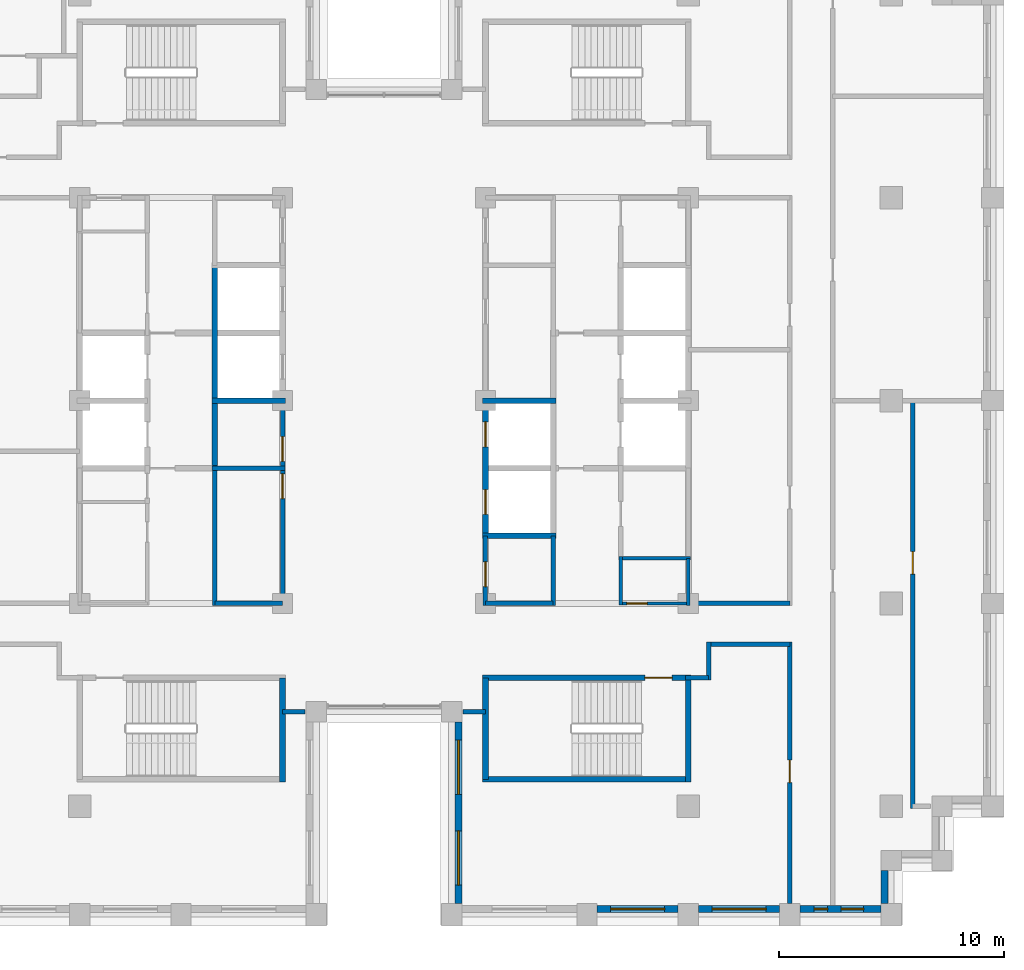
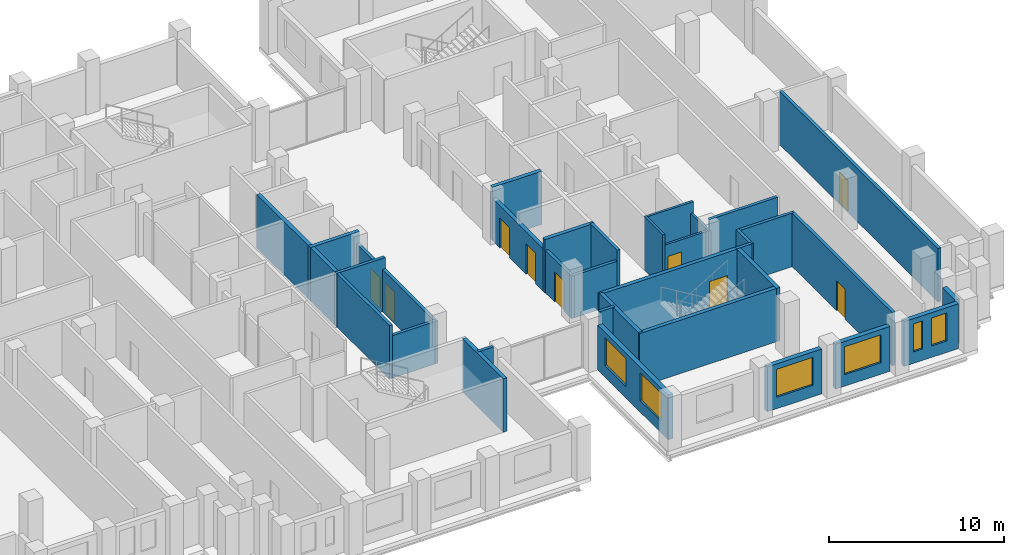
# One storey, part 8 of 15: 34 walls, 9 doors, 6 windows, 15 openings.
"""IFC4 building model written with IfcOpenShell, lengths in metres."""

from ifc_helpers import new_model, si_unit, direction, frame, frame_2d, origin, place, context, subcontext, project, spatial, rectangle, extrude, material, layer, layer_set, type_object, element, fill, save


model = new_model("IFC4")

# Units and contexts
model_context = context("Model", 3, precision=1e-05, world=origin(), true_north=direction((0.0, 1.0)))
body_context = subcontext(model_context, "Body", "Model", "MODEL_VIEW")
ifc_project = project(units=[si_unit("LENGTHUNIT", "METRE"), si_unit("AREAUNIT", "SQUARE_METRE"), si_unit("VOLUMEUNIT", "CUBIC_METRE"), si_unit("PLANEANGLEUNIT", "RADIAN"), si_unit("MASSUNIT", "GRAM", prefix="KILO")], contexts=[model_context])

# Site, building, storey
site_placement = place(None, origin())
site = spatial("IfcSite", under=ifc_project, at=site_placement, CompositionType="ELEMENT")
building_placement = place(site_placement, origin())
building = spatial("IfcBuilding", under=site, at=building_placement, Name="Corbelhall Arena Tower", CompositionType="ELEMENT")
storey_placement = place(building_placement, frame((0.0, 0.0, 224.0)))
storey = spatial("IfcBuildingStorey", under=building, at=storey_placement, Name="L47", CompositionType="ELEMENT", Elevation=224.0)

# Wall, openings, windows
ifc_material_1 = material(Name="Precast concrete C40/50 with granite facing", Category="masonry")
ifc_layer_1 = layer(ifc_material_1, 0.300048828125)
ifc_layer_set_1 = layer_set([ifc_layer_1], Name="EV-IW1 Infill panel 300")
wall_type_1 = type_object("IfcWallType", Name="EV-IW1 Infill panel 300", PredefinedType="SOLIDWALL", material=ifc_layer_set_1)
wall_1_placement = place(storey_placement, frame((3.300048828125, -14.25, 0.0), z_axis=(0.0, 0.0, 1.0), x_axis=(0.0, -1.0, 0.0)))
wall_1 = element("IfcWall", 1, at=wall_1_placement, inside=storey, type_object=wall_type_1, Name="Infill panel IW1", PredefinedType="SOLIDWALL", context=body_context, shape_type="SweptSolid", body=[
    extrude(rectangle(XDim=8.050048828125, YDim=0.300048828125, at=frame_2d((4.02490234375, 0.0))), origin(), (0.0, 0.0, 1.0), 3.1201171875),
])
opening_1_placement = place(wall_1_placement, frame((0.8125, 0.0, 0.800048828125)))
opening_1 = element("IfcOpeningElement", 2, at=opening_1_placement, cuts=wall_1, Name="Opening WN1", PredefinedType="OPENING", context=body_context, shape_type="SweptSolid", body=[
    extrude(rectangle(XDim=2.39990234375, YDim=1.949951171875, at=frame_2d((1.199951171875, 0.97509765625))), frame((0.0, 0.14990234375, 0.0), z_axis=(0.0, -1.0, 0.0), x_axis=(1.0, 0.0, 0.0)), (0.0, 0.0, 1.0), 0.300048828125),
])
opening_2_placement = place(wall_1_placement, frame((4.83740234375, 0.0, 0.800048828125)))
opening_2 = element("IfcOpeningElement", 3, at=opening_2_placement, cuts=wall_1, Name="Opening WN1", PredefinedType="OPENING", context=body_context, shape_type="SweptSolid", body=[
    extrude(rectangle(XDim=2.39990234375, YDim=1.949951171875, at=frame_2d((1.199951171875, 0.97509765625))), frame((0.0, 0.14990234375, 0.0), z_axis=(0.0, -1.0, 0.0), x_axis=(1.0, 0.0, 0.0)), (0.0, 0.0, 1.0), 0.300048828125),
])
ifc_material_2 = material(Name="Aluminium black anodised", Category="aluminium")
window_type_1 = type_object("IfcWindowType", Name="EV-WN1 Office window", PartitioningType="SINGLE_PANEL", PredefinedType="WINDOW", material=ifc_material_2)
window_1_placement = place(opening_1_placement, origin())
window_1 = element("IfcWindow", 4, at=window_1_placement, inside=storey, type_object=window_type_1, Name="Window WN1", OverallHeight=1.949951171875, OverallWidth=2.39990234375, PartitioningType="SINGLE_PANEL", PredefinedType="WINDOW", context=body_context, shape_type="SweptSolid", body=[
    extrude(rectangle(XDim=2.39990234375, YDim=1.949951171875, at=frame_2d((1.199951171875, 0.97509765625))), frame((0.0, 0.030029296875, 0.0), z_axis=(0.0, -1.0, 0.0), x_axis=(1.0, 0.0, 0.0)), (0.0, 0.0, 1.0), 0.06005859375),
])
fill(opening_1, window_1)
window_2_placement = place(opening_2_placement, origin())
window_2 = element("IfcWindow", 5, at=window_2_placement, inside=storey, type_object=window_type_1, Name="Window WN1", OverallHeight=1.949951171875, OverallWidth=2.39990234375, PartitioningType="SINGLE_PANEL", PredefinedType="WINDOW", context=body_context, shape_type="SweptSolid", body=[
    extrude(rectangle(XDim=2.39990234375, YDim=1.949951171875, at=frame_2d((1.199951171875, 0.97509765625))), frame((0.0, 0.030029296875, 0.0), z_axis=(0.0, -1.0, 0.0), x_axis=(1.0, 0.0, 0.0)), (0.0, 0.0, 1.0), 0.06005859375),
])
fill(opening_2, window_2)

# Wall, opening, window
wall_2_placement = place(storey_placement, frame((9.449951171875, -22.550048828125, 0.0), z_axis=(0.0, 0.0, 1.0), x_axis=(1.0, 0.0, 0.0)))
wall_2 = element("IfcWall", 6, at=wall_2_placement, inside=storey, type_object=wall_type_1, Name="Infill panel IW1", PredefinedType="SOLIDWALL", context=body_context, shape_type="SweptSolid", body=[
    extrude(rectangle(XDim=3.60009765625, YDim=0.300048828125, at=frame_2d((1.800048828125, 0.0))), origin(), (0.0, 0.0, 1.0), 3.1201171875),
])
opening_3_placement = place(wall_2_placement, frame((0.60009765625, 0.0, 0.800048828125)))
opening_3 = element("IfcOpeningElement", 7, at=opening_3_placement, cuts=wall_2, Name="Opening WN1", PredefinedType="OPENING", context=body_context, shape_type="SweptSolid", body=[
    extrude(rectangle(XDim=2.39990234375, YDim=1.949951171875, at=frame_2d((1.199951171875, 0.97509765625))), frame((0.0, 0.14990234375, 0.0), z_axis=(0.0, -1.0, 0.0), x_axis=(1.0, 0.0, 0.0)), (0.0, 0.0, 1.0), 0.300048828125),
])
window_3_placement = place(opening_3_placement, origin())
window_3 = element("IfcWindow", 8, at=window_3_placement, inside=storey, type_object=window_type_1, Name="Window WN1", OverallHeight=1.949951171875, OverallWidth=2.39990234375, PartitioningType="SINGLE_PANEL", PredefinedType="WINDOW", context=body_context, shape_type="SweptSolid", body=[
    extrude(rectangle(XDim=2.39990234375, YDim=1.949951171875, at=frame_2d((1.199951171875, 0.97509765625))), frame((0.0, 0.030029296875, 0.0), z_axis=(0.0, -1.0, 0.0), x_axis=(1.0, 0.0, 0.0)), (0.0, 0.0, 1.0), 0.06005859375),
])
fill(opening_3, window_3)

wall_3_placement = place(storey_placement, frame((13.949951171875, -22.550048828125, 0.0), z_axis=(0.0, 0.0, 1.0), x_axis=(1.0, 0.0, 0.0)))
wall_3 = element("IfcWall", 9, at=wall_3_placement, inside=storey, type_object=wall_type_1, Name="Infill panel IW1", PredefinedType="SOLIDWALL", context=body_context, shape_type="SweptSolid", body=[
    extrude(rectangle(XDim=3.60009765625, YDim=0.300048828125, at=frame_2d((1.800048828125, 0.0))), origin(), (0.0, 0.0, 1.0), 3.1201171875),
])
opening_4_placement = place(wall_3_placement, frame((0.60009765625, 0.0, 0.800048828125)))
opening_4 = element("IfcOpeningElement", 10, at=opening_4_placement, cuts=wall_3, Name="Opening WN1", PredefinedType="OPENING", context=body_context, shape_type="SweptSolid", body=[
    extrude(rectangle(XDim=2.39990234375, YDim=1.949951171875, at=frame_2d((1.199951171875, 0.97509765625))), frame((0.0, 0.14990234375, 0.0), z_axis=(0.0, -1.0, 0.0), x_axis=(1.0, 0.0, 0.0)), (0.0, 0.0, 1.0), 0.300048828125),
])
window_4_placement = place(opening_4_placement, origin())
window_4 = element("IfcWindow", 11, at=window_4_placement, inside=storey, type_object=window_type_1, Name="Window WN1", OverallHeight=1.949951171875, OverallWidth=2.39990234375, PartitioningType="SINGLE_PANEL", PredefinedType="WINDOW", context=body_context, shape_type="SweptSolid", body=[
    extrude(rectangle(XDim=2.39990234375, YDim=1.949951171875, at=frame_2d((1.199951171875, 0.97509765625))), frame((0.0, 0.030029296875, 0.0), z_axis=(0.0, -1.0, 0.0), x_axis=(1.0, 0.0, 0.0)), (0.0, 0.0, 1.0), 0.06005859375),
])
fill(opening_4, window_4)

# Wall, openings, windows
wall_4_placement = place(storey_placement, frame((18.449951171875, -22.550048828125, 0.0), z_axis=(0.0, 0.0, 1.0), x_axis=(1.0, 0.0, 0.0)))
wall_4 = element("IfcWall", 12, at=wall_4_placement, inside=storey, type_object=wall_type_1, Name="Infill panel IW1", PredefinedType="SOLIDWALL", context=body_context, shape_type="SweptSolid", body=[
    extrude(rectangle(XDim=3.60009765625, YDim=0.300048828125, at=frame_2d((1.800048828125, 0.0))), origin(), (0.0, 0.0, 1.0), 3.1201171875),
])
opening_5_placement = place(wall_4_placement, frame((0.625, 0.0, 0.800048828125)))
opening_5 = element("IfcOpeningElement", 13, at=opening_5_placement, cuts=wall_4, Name="Opening WN5", PredefinedType="OPENING", context=body_context, shape_type="SweptSolid", body=[
    extrude(rectangle(XDim=0.60009765625, YDim=1.949951171875, at=frame_2d((0.300048828125, 0.97509765625))), frame((0.0, 0.14990234375, 0.0), z_axis=(0.0, -1.0, 0.0), x_axis=(1.0, 0.0, 0.0)), (0.0, 0.0, 1.0), 0.300048828125),
])
opening_6_placement = place(wall_4_placement, frame((1.824951171875, 0.0, 0.800048828125)))
opening_6 = element("IfcOpeningElement", 14, at=opening_6_placement, cuts=wall_4, Name="Opening WN6", PredefinedType="OPENING", context=body_context, shape_type="SweptSolid", body=[
    extrude(rectangle(XDim=1.0, YDim=1.949951171875, at=frame_2d((0.5, 0.97509765625))), frame((0.0, 0.14990234375, 0.0), z_axis=(0.0, -1.0, 0.0), x_axis=(1.0, 0.0, 0.0)), (0.0, 0.0, 1.0), 0.300048828125),
])
window_type_2 = type_object("IfcWindowType", Name="EV-WN5 Office window 600", PartitioningType="SINGLE_PANEL", PredefinedType="WINDOW", material=ifc_material_2)
window_5_placement = place(opening_5_placement, origin())
window_5 = element("IfcWindow", 15, at=window_5_placement, inside=storey, type_object=window_type_2, Name="Window WN5", OverallHeight=1.949951171875, OverallWidth=0.60009765625, PartitioningType="SINGLE_PANEL", PredefinedType="WINDOW", context=body_context, shape_type="SweptSolid", body=[
    extrude(rectangle(XDim=0.60009765625, YDim=1.949951171875, at=frame_2d((0.300048828125, 0.97509765625))), frame((0.0, 0.030029296875, 0.0), z_axis=(0.0, -1.0, 0.0), x_axis=(1.0, 0.0, 0.0)), (0.0, 0.0, 1.0), 0.06005859375),
])
fill(opening_5, window_5)
window_type_3 = type_object("IfcWindowType", Name="EV-WN6 Office window 1000", PartitioningType="SINGLE_PANEL", PredefinedType="WINDOW", material=ifc_material_2)
window_6_placement = place(opening_6_placement, origin())
window_6 = element("IfcWindow", 16, at=window_6_placement, inside=storey, type_object=window_type_3, Name="Window WN6", OverallHeight=1.949951171875, OverallWidth=1.0, PartitioningType="SINGLE_PANEL", PredefinedType="WINDOW", context=body_context, shape_type="SweptSolid", body=[
    extrude(rectangle(XDim=1.0, YDim=1.949951171875, at=frame_2d((0.5, 0.97509765625))), frame((0.0, 0.030029296875, 0.0), z_axis=(0.0, -1.0, 0.0), x_axis=(1.0, 0.0, 0.0)), (0.0, 0.0, 1.0), 0.06005859375),
])
fill(opening_6, window_6)

# Walls
wall_5_placement = place(storey_placement, frame((22.199951171875, -22.300048828125, 0.0), z_axis=(0.0, 0.0, 1.0), x_axis=(0.0, 1.0, 0.0)))
element("IfcWall", 17, at=wall_5_placement, inside=storey, type_object=wall_type_1, Name="Infill panel IW1", PredefinedType="SOLIDWALL", context=body_context, shape_type="SweptSolid", body=[
    extrude(rectangle(XDim=1.449951171875, YDim=0.300048828125, at=frame_2d((0.72509765625, 0.0))), origin(), (0.0, 0.0, 1.0), 3.1201171875),
])
ifc_material_3 = material(Name="Gypsum board on steel stud, acoustic", Category="steel")
ifc_layer_2 = layer(ifc_material_3, 0.199951171875)
ifc_layer_set_2 = layer_set([ifc_layer_2], Name="IN-W-DM200")
wall_type_2 = type_object("IfcWallType", Name="IN-W-DM200", PredefinedType="PARTITIONING", material=ifc_layer_set_2)
for number, where, z_axis, x_axis, name in (
    (18, (-3.5, -13.800048828125, 0.0), (0.0, 0.0, 1.0), (-1.0, 0.0, 0.0), "Partition 032"),
    (19, (4.5, -13.800048828125, 0.0), (0.0, 0.0, 1.0), (-1.0, 0.0, 0.0), "Partition 034"),
):
    element("IfcWall", number, at=place(storey_placement, frame(where, z_axis=z_axis, x_axis=x_axis)), inside=storey, type_object=wall_type_2, Name=name, PredefinedType="PARTITIONING", context=body_context, shape_type="SweptSolid", body=[
        extrude(rectangle(XDim=1.0, YDim=0.199951171875, at=frame_2d((0.5, 0.0))), origin(), (0.0, 0.0, 1.0), 3.719970703125),
    ])
wall_6_placement = place(storey_placement, frame((13.5, -9.0, 0.0), z_axis=(0.0, 0.0, 1.0), x_axis=(1.0, 0.0, 0.0)))
element("IfcWall", 20, at=wall_6_placement, inside=storey, type_object=wall_type_2, Name="Partition 036", PredefinedType="PARTITIONING", context=body_context, shape_type="SweptSolid", body=[
    extrude(rectangle(XDim=4.5, YDim=0.199951171875, at=frame_2d((2.25, 0.0))), origin(), (0.0, 0.0, 1.0), 3.719970703125),
])
wall_7_placement = place(storey_placement, frame((14.39990234375, -12.300048828125, 0.0), z_axis=(0.0, 0.0, 1.0), x_axis=(-1.0, 0.0, 0.0)))
element("IfcWall", 21, at=wall_7_placement, inside=storey, type_object=wall_type_2, Name="Partition 038", PredefinedType="PARTITIONING", context=body_context, shape_type="SweptSolid", body=[
    extrude(rectangle(XDim=1.02490234375, YDim=0.199951171875, at=frame_2d((0.512451171875, 0.0))), origin(), (0.0, 0.0, 1.0), 3.719970703125),
])
wall_8_placement = place(storey_placement, frame((14.39990234375, -10.699951171875, 0.0), z_axis=(0.0, 0.0, 1.0), x_axis=(0.0, -1.0, 0.0)))
element("IfcWall", 22, at=wall_8_placement, inside=storey, type_object=wall_type_2, Name="Partition 039", PredefinedType="PARTITIONING", context=body_context, shape_type="SweptSolid", body=[
    extrude(rectangle(XDim=1.699951171875, YDim=0.199951171875, at=frame_2d((0.85009765625, 0.0))), origin(), (0.0, 0.0, 1.0), 3.719970703125),
])

# Wall, opening, door
wall_9_placement = place(storey_placement, frame((18.0, -22.300048828125, 0.0), z_axis=(0.0, 0.0, 1.0), x_axis=(0.0, 1.0, 0.0)))
wall_9 = element("IfcWall", 23, at=wall_9_placement, inside=storey, type_object=wall_type_2, Name="Partition 043", PredefinedType="PARTITIONING", context=body_context, shape_type="SweptSolid", body=[
    extrude(rectangle(XDim=11.60009765625, YDim=0.199951171875, at=frame_2d((5.800048828125, 0.0))), origin(), (0.0, 0.0, 1.0), 3.719970703125),
])
opening_7_placement = place(wall_9_placement, frame((5.35009765625, 0.0, 0.0)))
opening_7 = element("IfcOpeningElement", 24, at=opening_7_placement, cuts=wall_9, Name="Opening 14031", PredefinedType="OPENING", context=body_context, shape_type="SweptSolid", body=[
    extrude(rectangle(XDim=1.0, YDim=2.10009765625, at=frame_2d((0.5, 1.050048828125))), frame((0.0, 0.10009765625, 0.0), z_axis=(0.0, -1.0, 0.0), x_axis=(1.0, 0.0, 0.0)), (0.0, 0.0, 1.0), 0.199951171875),
])
ifc_material_4 = material(Name="Steel door set", Category="steel")
door_type_1 = type_object("IfcDoorType", Name="IN-D-SW100", OperationType="NOTDEFINED", PredefinedType="DOOR", material=ifc_material_4)
door_1_placement = place(opening_7_placement, origin())
door_1 = element("IfcDoor", 25, at=door_1_placement, inside=storey, type_object=door_type_1, Name="Door 031", OperationType="SINGLE_SWING_RIGHT", OverallHeight=2.10009765625, OverallWidth=1.0, PredefinedType="DOOR", context=body_context, shape_type="SweptSolid", body=[
    extrude(rectangle(XDim=1.0, YDim=2.10009765625, at=frame_2d((0.5, 1.050048828125))), frame((0.0, 0.02490234375, 0.0), z_axis=(0.0, -1.0, 0.0), x_axis=(1.0, 0.0, 0.0)), (0.0, 0.0, 1.0), 0.050048828125),
])
fill(opening_7, door_1)

# Wall
wall_10_placement = place(storey_placement, frame((18.0, -10.800048828125, 0.0), z_axis=(0.0, 0.0, 1.0), x_axis=(-1.0, 0.0, 0.0)))
element("IfcWall", 26, at=wall_10_placement, inside=storey, type_object=wall_type_2, Name="Partition 044", PredefinedType="PARTITIONING", context=body_context, shape_type="SweptSolid", body=[
    extrude(rectangle(XDim=3.60009765625, YDim=0.199951171875, at=frame_2d((1.800048828125, 0.0))), origin(), (0.0, 0.0, 1.0), 3.719970703125),
])

# Wall, opening, door
wall_11_placement = place(storey_placement, frame((23.449951171875, 0.0, 0.0), z_axis=(0.0, 0.0, 1.0), x_axis=(0.0, -1.0, 0.0)))
wall_11 = element("IfcWall", 27, at=wall_11_placement, inside=storey, type_object=wall_type_2, Name="Partition 050", PredefinedType="PARTITIONING", context=body_context, shape_type="SweptSolid", body=[
    extrude(rectangle(XDim=18.10009765625, YDim=0.199951171875, at=frame_2d((9.050048828125, 0.0))), origin(), (0.0, 0.0, 1.0), 3.719970703125),
])
opening_8_placement = place(wall_11_placement, frame((6.699951171875, 0.0, 0.0)))
opening_8 = element("IfcOpeningElement", 28, at=opening_8_placement, cuts=wall_11, Name="Opening 14041", PredefinedType="OPENING", context=body_context, shape_type="SweptSolid", body=[
    extrude(rectangle(XDim=1.0, YDim=2.10009765625, at=frame_2d((0.5, 1.050048828125))), frame((0.0, 0.10009765625, 0.0), z_axis=(0.0, -1.0, 0.0), x_axis=(1.0, 0.0, 0.0)), (0.0, 0.0, 1.0), 0.199951171875),
])
door_2_placement = place(opening_8_placement, origin())
door_2 = element("IfcDoor", 29, at=door_2_placement, inside=storey, type_object=door_type_1, Name="Door 041", OperationType="SINGLE_SWING_RIGHT", OverallHeight=2.10009765625, OverallWidth=1.0, PredefinedType="DOOR", context=body_context, shape_type="SweptSolid", body=[
    extrude(rectangle(XDim=1.0, YDim=2.10009765625, at=frame_2d((0.5, 1.050048828125))), frame((0.0, 0.02490234375, 0.0), z_axis=(0.0, -1.0, 0.0), x_axis=(1.0, 0.0, 0.0)), (0.0, 0.0, 1.0), 0.050048828125),
])
fill(opening_8, door_2)

# Walls
ifc_material_5 = material(Name="Concrete block wall", Category="concrete")
ifc_layer_3 = layer(ifc_material_5, 0.199951171875)
ifc_layer_set_3 = layer_set([ifc_layer_3], Name="IN-W-RS200")
wall_type_3 = type_object("IfcWallType", Name="IN-W-RS200", PredefinedType="SOLIDWALL", material=ifc_layer_set_3)
wall_12_placement = place(storey_placement, frame((-7.625, -3.0, 0.0), z_axis=(0.0, 0.0, 1.0), x_axis=(1.0, 0.0, 0.0)))
element("IfcWall", 30, at=wall_12_placement, inside=storey, type_object=wall_type_3, Name="Partition 057", PredefinedType="SOLIDWALL", context=body_context, shape_type="SweptSolid", body=[
    extrude(rectangle(XDim=3.22509765625, YDim=0.199951171875, at=frame_2d((1.612548828125, 0.0))), origin(), (0.0, 0.0, 1.0), 3.719970703125),
])
wall_13_placement = place(storey_placement, frame((-7.5, -9.10009765625, 0.0), z_axis=(0.0, 0.0, 1.0), x_axis=(0.0, 1.0, 0.0)))
element("IfcWall", 31, at=wall_13_placement, inside=storey, type_object=wall_type_3, Name="Partition 058", PredefinedType="SOLIDWALL", context=body_context, shape_type="SweptSolid", body=[
    extrude(rectangle(XDim=6.22509765625, YDim=0.199951171875, at=frame_2d((3.112548828125, 0.0))), origin(), (0.0, 0.0, 1.0), 3.719970703125),
])
wall_14_placement = place(storey_placement, frame((7.5, -6.0, 0.0), z_axis=(0.0, 0.0, 1.0), x_axis=(0.0, -1.0, 0.0)))
element("IfcWall", 32, at=wall_14_placement, inside=storey, type_object=wall_type_3, Name="Partition 069", PredefinedType="SOLIDWALL", context=body_context, shape_type="SweptSolid", body=[
    extrude(rectangle(XDim=3.10009765625, YDim=0.199951171875, at=frame_2d((1.550048828125, 0.0))), origin(), (0.0, 0.0, 1.0), 3.719970703125),
])
ifc_layer_4 = layer(ifc_material_5, 0.199951171875)
ifc_layer_set_4 = layer_set([ifc_layer_4], Name="IN-W-RS200 under beam 762 mm")
wall_type_4 = type_object("IfcWallType", Name="IN-W-RS200 under beam 762 mm", PredefinedType="SOLIDWALL", material=ifc_layer_set_4)
wall_15_placement = place(storey_placement, frame((-4.5, -9.0, 0.0), z_axis=(0.0, 0.0, 1.0), x_axis=(-1.0, 0.0, 0.0)))
element("IfcWall", 33, at=wall_15_placement, inside=storey, type_object=wall_type_4, Name="Partition 061", PredefinedType="SOLIDWALL", context=body_context, shape_type="SweptSolid", body=[
    extrude(rectangle(XDim=3.0, YDim=0.199951171875, at=frame_2d((1.5, 0.0))), origin(), (0.0, 0.0, 1.0), 2.9580078125),
])

# Wall, openings, doors
wall_16_placement = place(storey_placement, frame((-4.5, 0.0, 0.0), z_axis=(0.0, 0.0, 1.0), x_axis=(0.0, -1.0, 0.0)))
wall_16 = element("IfcWall", 34, at=wall_16_placement, inside=storey, type_object=wall_type_4, Name="Partition 062", PredefinedType="SOLIDWALL", context=body_context, shape_type="SweptSolid", body=[
    extrude(rectangle(XDim=9.10009765625, YDim=0.199951171875, at=frame_2d((4.550048828125, 0.0))), origin(), (0.0, 0.0, 1.0), 2.9580078125),
])
opening_9_placement = place(wall_16_placement, frame((3.25, 0.0, 0.0)))
opening_9 = element("IfcOpeningElement", 35, at=opening_9_placement, cuts=wall_16, Name="Opening 14001", PredefinedType="OPENING", context=body_context, shape_type="SweptSolid", body=[
    extrude(rectangle(XDim=1.10009765625, YDim=2.10009765625, at=frame_2d((0.550048828125, 1.050048828125))), frame((0.0, 0.10009765625, 0.0), z_axis=(0.0, -1.0, 0.0), x_axis=(1.0, 0.0, 0.0)), (0.0, 0.0, 1.0), 0.199951171875),
])
opening_10_placement = place(wall_16_placement, frame((1.60009765625, 0.0, 0.0)))
opening_10 = element("IfcOpeningElement", 36, at=opening_10_placement, cuts=wall_16, Name="Opening 14002", PredefinedType="OPENING", context=body_context, shape_type="SweptSolid", body=[
    extrude(rectangle(XDim=1.10009765625, YDim=2.10009765625, at=frame_2d((0.550048828125, 1.050048828125))), frame((0.0, 0.10009765625, 0.0), z_axis=(0.0, -1.0, 0.0), x_axis=(1.0, 0.0, 0.0)), (0.0, 0.0, 1.0), 0.199951171875),
])
door_type_2 = type_object("IfcDoorType", Name="IN-D-FD110", OperationType="NOTDEFINED", PredefinedType="DOOR", material=ifc_material_4)
door_3_placement = place(opening_9_placement, origin())
door_3 = element("IfcDoor", 37, at=door_3_placement, inside=storey, type_object=door_type_2, Name="Door 001", OperationType="SINGLE_SWING_RIGHT", OverallHeight=2.10009765625, OverallWidth=1.10009765625, PredefinedType="DOOR", context=body_context, shape_type="SweptSolid", body=[
    extrude(rectangle(XDim=1.10009765625, YDim=2.10009765625, at=frame_2d((0.550048828125, 1.050048828125))), frame((0.0, 0.02490234375, 0.0), z_axis=(0.0, -1.0, 0.0), x_axis=(1.0, 0.0, 0.0)), (0.0, 0.0, 1.0), 0.050048828125),
])
fill(opening_9, door_3)
door_4_placement = place(opening_10_placement, origin())
door_4 = element("IfcDoor", 38, at=door_4_placement, inside=storey, type_object=door_type_2, Name="Door 002", OperationType="SINGLE_SWING_LEFT", OverallHeight=2.10009765625, OverallWidth=1.10009765625, PredefinedType="DOOR", context=body_context, shape_type="SweptSolid", body=[
    extrude(rectangle(XDim=1.10009765625, YDim=2.10009765625, at=frame_2d((0.550048828125, 1.050048828125))), frame((0.0, 0.02490234375, 0.0), z_axis=(0.0, -1.0, 0.0), x_axis=(1.0, 0.0, 0.0)), (0.0, 0.0, 1.0), 0.050048828125),
])
fill(opening_10, door_4)

# Wall, opening, door
wall_17_placement = place(storey_placement, frame((4.5, -9.10009765625, 0.0), z_axis=(0.0, 0.0, 1.0), x_axis=(0.0, 1.0, 0.0)))
wall_17 = element("IfcWall", 39, at=wall_17_placement, inside=storey, type_object=wall_type_4, Name="Partition 065", PredefinedType="SOLIDWALL", context=body_context, shape_type="SweptSolid", body=[
    extrude(rectangle(XDim=3.10009765625, YDim=0.199951171875, at=frame_2d((1.550048828125, 0.0))), origin(), (0.0, 0.0, 1.0), 2.9580078125),
])
opening_11_placement = place(wall_17_placement, frame((0.85009765625, 0.0, 0.0)))
opening_11 = element("IfcOpeningElement", 40, at=opening_11_placement, cuts=wall_17, Name="Opening 14010", PredefinedType="OPENING", context=body_context, shape_type="SweptSolid", body=[
    extrude(rectangle(XDim=1.10009765625, YDim=2.10009765625, at=frame_2d((0.550048828125, 1.050048828125))), frame((0.0, 0.10009765625, 0.0), z_axis=(0.0, -1.0, 0.0), x_axis=(1.0, 0.0, 0.0)), (0.0, 0.0, 1.0), 0.199951171875),
])
door_5_placement = place(opening_11_placement, origin())
door_5 = element("IfcDoor", 41, at=door_5_placement, inside=storey, type_object=door_type_2, Name="Door 010", OperationType="SINGLE_SWING_LEFT", OverallHeight=2.10009765625, OverallWidth=1.10009765625, PredefinedType="DOOR", context=body_context, shape_type="SweptSolid", body=[
    extrude(rectangle(XDim=1.10009765625, YDim=2.10009765625, at=frame_2d((0.550048828125, 1.050048828125))), frame((0.0, 0.02490234375, 0.0), z_axis=(0.0, -1.0, 0.0), x_axis=(1.0, 0.0, 0.0)), (0.0, 0.0, 1.0), 0.050048828125),
])
fill(opening_11, door_5)

# Walls
wall_18_placement = place(storey_placement, frame((7.5, -9.0, 0.0), z_axis=(0.0, 0.0, 1.0), x_axis=(-1.0, 0.0, 0.0)))
element("IfcWall", 42, at=wall_18_placement, inside=storey, type_object=wall_type_4, Name="Partition 068", PredefinedType="SOLIDWALL", context=body_context, shape_type="SweptSolid", body=[
    extrude(rectangle(XDim=3.0, YDim=0.199951171875, at=frame_2d((1.5, 0.0))), origin(), (0.0, 0.0, 1.0), 2.9580078125),
])
ifc_material_6 = material(Name="Concrete C40/50", Category="concrete")
ifc_layer_5 = layer(ifc_material_6, 0.25)
ifc_layer_set_5 = layer_set([ifc_layer_5], Name="IN-W-SH250")
wall_type_5 = type_object("IfcWallType", Name="IN-W-SH250", PredefinedType="SOLIDWALL", material=ifc_layer_set_5)
wall_19_placement = place(storey_placement, frame((-7.625, 0.0, 0.0), z_axis=(0.0, 0.0, 1.0), x_axis=(1.0, 0.0, 0.0)))
element("IfcWall", 43, at=wall_19_placement, inside=storey, type_object=wall_type_5, Name="Shaft wall 081", PredefinedType="SOLIDWALL", context=body_context, shape_type="SweptSolid", body=[
    extrude(rectangle(XDim=3.25, YDim=0.25, at=frame_2d((1.625, 0.0))), origin(), (0.0, 0.0, 1.0), 3.719970703125),
])
wall_20_placement = place(storey_placement, frame((-7.5, -3.125, 0.0), z_axis=(0.0, 0.0, 1.0), x_axis=(0.0, 1.0, 0.0)))
element("IfcWall", 44, at=wall_20_placement, inside=storey, type_object=wall_type_5, Name="Shaft wall 083", PredefinedType="SOLIDWALL", context=body_context, shape_type="SweptSolid", body=[
    extrude(rectangle(XDim=9.125, YDim=0.25, at=frame_2d((4.5625, 0.0))), origin(), (0.0, 0.0, 1.0), 3.719970703125),
])
for number, where, z_axis, x_axis, name in (
    (45, (4.375, -6.0, 0.0), (0.0, 0.0, 1.0), (1.0, 0.0, 0.0), "Shaft wall 085"),
    (46, (4.375, 0.0, 0.0), (0.0, 0.0, 1.0), (1.0, 0.0, 0.0), "Shaft wall 087"),
):
    element("IfcWall", number, at=place(storey_placement, frame(where, z_axis=z_axis, x_axis=x_axis)), inside=storey, type_object=wall_type_5, Name=name, PredefinedType="SOLIDWALL", context=body_context, shape_type="SweptSolid", body=[
        extrude(rectangle(XDim=3.25, YDim=0.25, at=frame_2d((1.625, 0.0))), origin(), (0.0, 0.0, 1.0), 3.719970703125),
    ])

# Wall, openings, doors
ifc_layer_6 = layer(ifc_material_6, 0.25)
ifc_layer_set_6 = layer_set([ifc_layer_6], Name="IN-W-SH250 under beam 762 mm")
wall_type_6 = type_object("IfcWallType", Name="IN-W-SH250 under beam 762 mm", PredefinedType="SOLIDWALL", material=ifc_layer_set_6)
wall_21_placement = place(storey_placement, frame((4.5, -6.0, 0.0), z_axis=(0.0, 0.0, 1.0), x_axis=(0.0, 1.0, 0.0)))
wall_21 = element("IfcWall", 47, at=wall_21_placement, inside=storey, type_object=wall_type_6, Name="Shaft wall 088", PredefinedType="SOLIDWALL", context=body_context, shape_type="SweptSolid", body=[
    extrude(rectangle(XDim=6.0, YDim=0.25, at=frame_2d((3.0, 0.0))), origin(), (0.0, 0.0, 1.0), 2.9580078125),
])
opening_12_placement = place(wall_21_placement, frame((0.949951171875, 0.0, 0.0)))
opening_12 = element("IfcOpeningElement", 48, at=opening_12_placement, cuts=wall_21, Name="Opening LD", PredefinedType="OPENING", context=body_context, shape_type="SweptSolid", body=[
    extrude(rectangle(XDim=1.10009765625, YDim=2.10009765625, at=frame_2d((0.550048828125, 1.050048828125))), frame((0.0, 0.125, 0.0), z_axis=(0.0, -1.0, 0.0), x_axis=(1.0, 0.0, 0.0)), (0.0, 0.0, 1.0), 0.25),
])
opening_13_placement = place(wall_21_placement, frame((3.949951171875, 0.0, 0.0)))
opening_13 = element("IfcOpeningElement", 49, at=opening_13_placement, cuts=wall_21, Name="Opening LD", PredefinedType="OPENING", context=body_context, shape_type="SweptSolid", body=[
    extrude(rectangle(XDim=1.10009765625, YDim=2.10009765625, at=frame_2d((0.550048828125, 1.050048828125))), frame((0.0, 0.125, 0.0), z_axis=(0.0, -1.0, 0.0), x_axis=(1.0, 0.0, 0.0)), (0.0, 0.0, 1.0), 0.25),
])
door_type_3 = type_object("IfcDoorType", Name="IN-D-LD110", OperationType="NOTDEFINED", PredefinedType="DOOR", material=ifc_material_4)
door_6_placement = place(opening_12_placement, origin())
door_6 = element("IfcDoor", 50, at=door_6_placement, inside=storey, type_object=door_type_3, Name="Landing door E2", OperationType="SLIDING_TO_LEFT", OverallHeight=2.10009765625, OverallWidth=1.10009765625, PredefinedType="DOOR", context=body_context, shape_type="SweptSolid", body=[
    extrude(rectangle(XDim=1.10009765625, YDim=2.10009765625, at=frame_2d((0.550048828125, 1.050048828125))), frame((0.0, 0.02490234375, 0.0), z_axis=(0.0, -1.0, 0.0), x_axis=(1.0, 0.0, 0.0)), (0.0, 0.0, 1.0), 0.050048828125),
])
fill(opening_12, door_6)
door_7_placement = place(opening_13_placement, origin())
door_7 = element("IfcDoor", 51, at=door_7_placement, inside=storey, type_object=door_type_3, Name="Landing door E3", OperationType="SLIDING_TO_LEFT", OverallHeight=2.10009765625, OverallWidth=1.10009765625, PredefinedType="DOOR", context=body_context, shape_type="SweptSolid", body=[
    extrude(rectangle(XDim=1.10009765625, YDim=2.10009765625, at=frame_2d((0.550048828125, 1.050048828125))), frame((0.0, 0.02490234375, 0.0), z_axis=(0.0, -1.0, 0.0), x_axis=(1.0, 0.0, 0.0)), (0.0, 0.0, 1.0), 0.050048828125),
])
fill(opening_13, door_7)

# Walls
ifc_layer_7 = layer(ifc_material_6, 0.25)
ifc_layer_set_7 = layer_set([ifc_layer_7], Name="IN-W-ST250")
wall_type_7 = type_object("IfcWallType", Name="IN-W-ST250", PredefinedType="SOLIDWALL", material=ifc_layer_set_7)
wall_22_placement = place(storey_placement, frame((-4.5, -12.300048828125, 0.0), z_axis=(0.0, 0.0, 1.0), x_axis=(0.0, -1.0, 0.0)))
element("IfcWall", 52, at=wall_22_placement, inside=storey, type_object=wall_type_7, Name="Shaft wall 106", PredefinedType="SOLIDWALL", context=body_context, shape_type="SweptSolid", body=[
    extrude(rectangle(XDim=4.625, YDim=0.25, at=frame_2d((2.3125, 0.0))), origin(), (0.0, 0.0, 1.0), 3.719970703125),
])
wall_23_placement = place(storey_placement, frame((4.5, -16.800048828125, 0.0), z_axis=(0.0, 0.0, 1.0), x_axis=(0.0, 1.0, 0.0)))
element("IfcWall", 53, at=wall_23_placement, inside=storey, type_object=wall_type_7, Name="Shaft wall 111", PredefinedType="SOLIDWALL", context=body_context, shape_type="SweptSolid", body=[
    extrude(rectangle(XDim=4.5, YDim=0.25, at=frame_2d((2.25, 0.0))), origin(), (0.0, 0.0, 1.0), 3.719970703125),
])
wall_24_placement = place(storey_placement, frame((13.5, -16.800048828125, 0.0), z_axis=(0.0, 0.0, 1.0), x_axis=(-1.0, 0.0, 0.0)))
element("IfcWall", 54, at=wall_24_placement, inside=storey, type_object=wall_type_7, Name="Shaft wall 113", PredefinedType="SOLIDWALL", context=body_context, shape_type="SweptSolid", body=[
    extrude(rectangle(XDim=9.125, YDim=0.25, at=frame_2d((4.5625, 0.0))), origin(), (0.0, 0.0, 1.0), 3.719970703125),
])
wall_25_placement = place(storey_placement, frame((13.5, -12.300048828125, 0.0), z_axis=(0.0, 0.0, 1.0), x_axis=(0.0, -1.0, 0.0)))
element("IfcWall", 55, at=wall_25_placement, inside=storey, type_object=wall_type_7, Name="Shaft wall 114", PredefinedType="SOLIDWALL", context=body_context, shape_type="SweptSolid", body=[
    extrude(rectangle(XDim=4.625, YDim=0.25, at=frame_2d((2.3125, 0.0))), origin(), (0.0, 0.0, 1.0), 3.719970703125),
])

# Wall, opening, door
wall_26_placement = place(storey_placement, frame((13.625, -12.300048828125, 0.0), z_axis=(0.0, 0.0, 1.0), x_axis=(-1.0, 0.0, 0.0)))
wall_26 = element("IfcWall", 56, at=wall_26_placement, inside=storey, type_object=wall_type_7, Name="Shaft wall 116", PredefinedType="SOLIDWALL", context=body_context, shape_type="SweptSolid", body=[
    extrude(rectangle(XDim=9.25, YDim=0.25, at=frame_2d((4.625, 0.0))), origin(), (0.0, 0.0, 1.0), 3.719970703125),
])
opening_14_placement = place(wall_26_placement, frame((0.85009765625, 0.0, 0.0)))
opening_14 = element("IfcOpeningElement", 57, at=opening_14_placement, cuts=wall_26, Name="Opening 14021", PredefinedType="OPENING", context=body_context, shape_type="SweptSolid", body=[
    extrude(rectangle(XDim=1.199951171875, YDim=2.10009765625, at=frame_2d((0.60009765625, 1.050048828125))), frame((0.0, 0.125, 0.0), z_axis=(0.0, -1.0, 0.0), x_axis=(1.0, 0.0, 0.0)), (0.0, 0.0, 1.0), 0.25),
])
door_type_4 = type_object("IfcDoorType", Name="IN-D-ST120", OperationType="NOTDEFINED", PredefinedType="DOOR", material=ifc_material_4)
door_8_placement = place(opening_14_placement, origin())
door_8 = element("IfcDoor", 58, at=door_8_placement, inside=storey, type_object=door_type_4, Name="Door 021", OperationType="SINGLE_SWING_RIGHT", OverallHeight=2.10009765625, OverallWidth=1.199951171875, PredefinedType="DOOR", context=body_context, shape_type="SweptSolid", body=[
    extrude(rectangle(XDim=1.199951171875, YDim=2.10009765625, at=frame_2d((0.60009765625, 1.050048828125))), frame((0.0, 0.02490234375, 0.0), z_axis=(0.0, -1.0, 0.0), x_axis=(1.0, 0.0, 0.0)), (0.0, 0.0, 1.0), 0.050048828125),
])
fill(opening_14, door_8)

# Walls
ifc_material_7 = material(Name="Gypsum board on steel stud, moisture resistant", Category="steel")
ifc_layer_8 = layer(ifc_material_7, 0.14990234375)
ifc_layer_set_8 = layer_set([ifc_layer_8], Name="IN-W-WC150")
wall_type_8 = type_object("IfcWallType", Name="IN-W-WC150", PredefinedType="PARTITIONING", material=ifc_layer_set_8)
wall_27_placement = place(storey_placement, frame((10.5, -7.0, 0.0), z_axis=(0.0, 0.0, 1.0), x_axis=(1.0, 0.0, 0.0)))
element("IfcWall", 59, at=wall_27_placement, inside=storey, type_object=wall_type_8, Name="Partition 124", PredefinedType="PARTITIONING", context=body_context, shape_type="SweptSolid", body=[
    extrude(rectangle(XDim=3.10009765625, YDim=0.14990234375, at=frame_2d((1.550048828125, 0.0))), origin(), (0.0, 0.0, 1.0), 3.719970703125),
])
wall_28_placement = place(storey_placement, frame((10.5, -6.925048828125, 0.0), z_axis=(0.0, 0.0, 1.0), x_axis=(0.0, -1.0, 0.0)))
element("IfcWall", 60, at=wall_28_placement, inside=storey, type_object=wall_type_8, Name="Partition 125", PredefinedType="PARTITIONING", context=body_context, shape_type="SweptSolid", body=[
    extrude(rectangle(XDim=2.14990234375, YDim=0.14990234375, at=frame_2d((1.074951171875, 0.0))), origin(), (0.0, 0.0, 1.0), 3.719970703125),
])
ifc_layer_9 = layer(ifc_material_7, 0.14990234375)
ifc_layer_set_9 = layer_set([ifc_layer_9], Name="IN-W-WC150 under beam 762 mm")
wall_type_9 = type_object("IfcWallType", Name="IN-W-WC150 under beam 762 mm", PredefinedType="PARTITIONING", material=ifc_layer_set_9)
wall_29_placement = place(storey_placement, frame((13.5, -7.0, 0.0), z_axis=(0.0, 0.0, 1.0), x_axis=(0.0, -1.0, 0.0)))
element("IfcWall", 61, at=wall_29_placement, inside=storey, type_object=wall_type_9, Name="Partition 126", PredefinedType="PARTITIONING", context=body_context, shape_type="SweptSolid", body=[
    extrude(rectangle(XDim=2.10009765625, YDim=0.14990234375, at=frame_2d((1.050048828125, 0.0))), origin(), (0.0, 0.0, 1.0), 2.9580078125),
])

# Wall, opening, door
wall_30_placement = place(storey_placement, frame((13.574951171875, -9.0, 0.0), z_axis=(0.0, 0.0, 1.0), x_axis=(-1.0, 0.0, 0.0)))
wall_30 = element("IfcWall", 62, at=wall_30_placement, inside=storey, type_object=wall_type_9, Name="Partition 127", PredefinedType="PARTITIONING", context=body_context, shape_type="SweptSolid", body=[
    extrude(rectangle(XDim=3.074951171875, YDim=0.14990234375, at=frame_2d((1.53759765625, 0.0))), origin(), (0.0, 0.0, 1.0), 2.9580078125),
])
opening_15_placement = place(wall_30_placement, frame((1.89990234375, 0.0, 0.0)))
opening_15 = element("IfcOpeningElement", 63, at=opening_15_placement, cuts=wall_30, Name="Opening 14015", PredefinedType="OPENING", context=body_context, shape_type="SweptSolid", body=[
    extrude(rectangle(XDim=0.89990234375, YDim=2.10009765625, at=frame_2d((0.449951171875, 1.050048828125))), frame((0.0, 0.074951171875, 0.0), z_axis=(0.0, -1.0, 0.0), x_axis=(1.0, 0.0, 0.0)), (0.0, 0.0, 1.0), 0.14990234375),
])
ifc_material_8 = material(Name="Timber door set", Category="wood")
door_type_5 = type_object("IfcDoorType", Name="IN-D-SW90", OperationType="NOTDEFINED", PredefinedType="DOOR", material=ifc_material_8)
door_9_placement = place(opening_15_placement, origin())
door_9 = element("IfcDoor", 64, at=door_9_placement, inside=storey, type_object=door_type_5, Name="Door 015", OperationType="SINGLE_SWING_RIGHT", OverallHeight=2.10009765625, OverallWidth=0.89990234375, PredefinedType="DOOR", context=body_context, shape_type="SweptSolid", body=[
    extrude(rectangle(XDim=0.89990234375, YDim=2.10009765625, at=frame_2d((0.449951171875, 1.050048828125))), frame((0.0, 0.02490234375, 0.0), z_axis=(0.0, -1.0, 0.0), x_axis=(1.0, 0.0, 0.0)), (0.0, 0.0, 1.0), 0.050048828125),
])
fill(opening_15, door_9)

save(model, "model.ifc")
